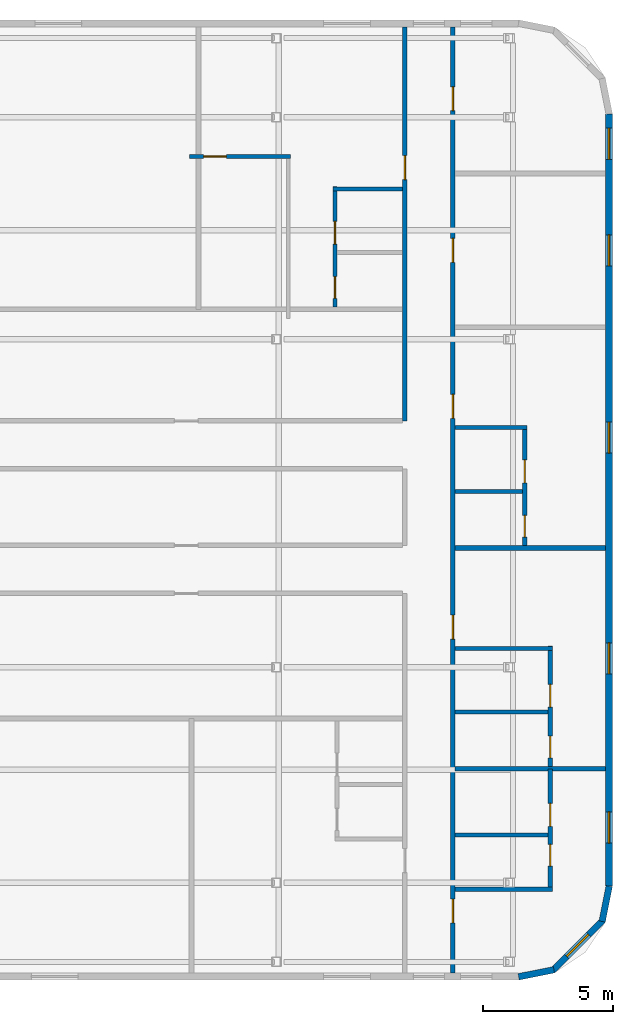
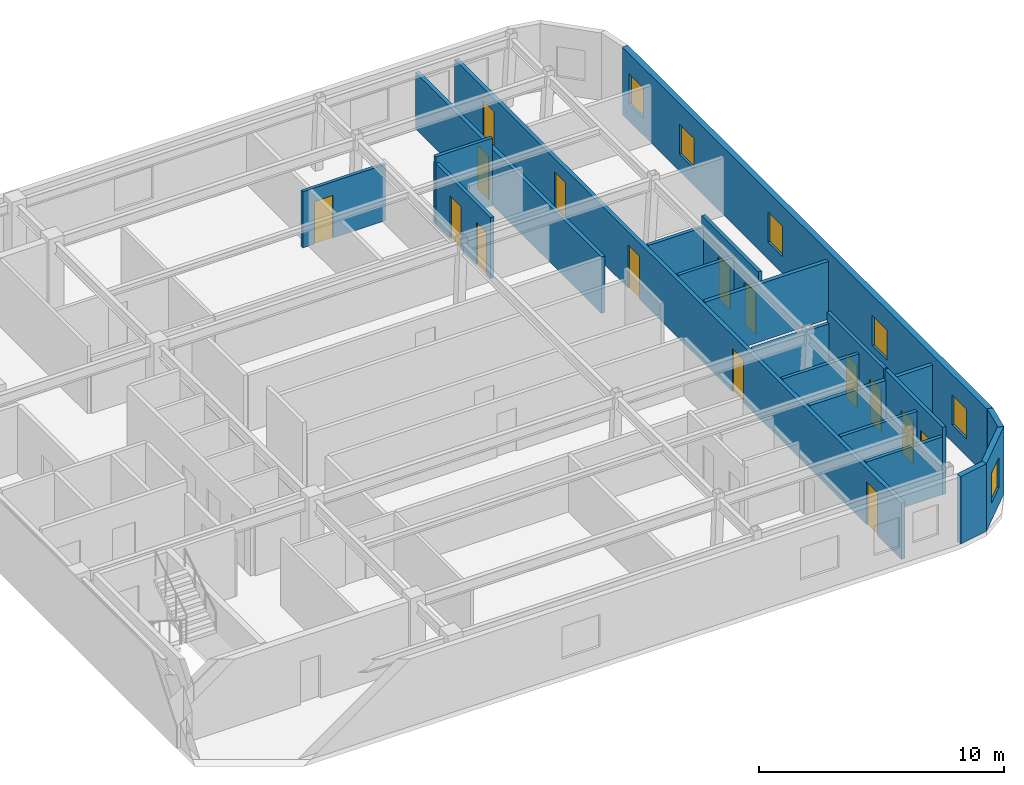
# One storey, part 4 of 6: 20 walls, 15 doors, 6 windows, 21 openings.
"""IFC4 building model written with IfcOpenShell, lengths in metres."""

import ifcopenshell
import ifcopenshell.guid

model = None  # the IFC model being written
_history = None  # IfcOwnerHistory: only IFC2X3 demands one
_inside = {}  # id of a spatial element -> (the spatial element, [elements in it])
_under = {}  # id of a project, library or spatial element -> (it, [spatial elements below it])
_declared = {}  # id of a project -> (the project, [libraries it declares])
_typed = {}  # id of a type object -> (the type object, [elements of that type])
_made_of = {}  # id of a material, layer set ... -> (it, [elements and type objects made of it])


def new_model(schema):
    """Start an empty IFC model of exactly this schema.

    Asked for "IFC4X3", IfcOpenShell would pick the latest addendum, in which some entities
    have other attributes; the version numbers below select the first issue.
    IFC2X3 requires an IfcOwnerHistory on every rooted entity: one is made here for all.
    """
    global model, _history
    if schema == "IFC4X3":
        model = ifcopenshell.file(schema_version=(4, 3, 0, 0))
    else:
        model = ifcopenshell.file(schema=schema)
    _inside.clear()
    _under.clear()
    _declared.clear()
    _typed.clear()
    _made_of.clear()
    _history = None
    if model.schema == "IFC2X3":
        org = make("IfcOrganization", Name="unknown")
        user = make(
            "IfcPersonAndOrganization",
            ThePerson=make("IfcPerson", FamilyName="unknown"),
            TheOrganization=org,
        )
        app = make(
            "IfcApplication",
            ApplicationDeveloper=org,
            Version="unknown",
            ApplicationFullName="unknown",
            ApplicationIdentifier="unknown",
        )
        _history = make(
            "IfcOwnerHistory",
            OwningUser=user,
            OwningApplication=app,
            ChangeAction="ADDED",
            CreationDate=0,
        )
    return model


def make(cls, **values):
    """One entity of the class cls with the attributes given. An attribute that is None is left unset."""
    return model.create_entity(
        cls, **{name: value for name, value in values.items() if value is not None}
    )


def rooted(cls, **values):
    """An entity with a GlobalId (a new one), such as an element, a storey or a relation."""
    return make(cls, GlobalId=ifcopenshell.guid.new(), OwnerHistory=_history, **values)


def si_unit(unit_type, name, prefix=None):
    """IfcSIUnit, for example si_unit("LENGTHUNIT", "METRE", prefix="MILLI")."""
    return make("IfcSIUnit", UnitType=unit_type, Prefix=prefix, Name=name)


def assignment(units):
    """IfcUnitAssignment: the units of a project."""
    return None if units is None else make("IfcUnitAssignment", Units=units)


def point(xyz):
    """IfcCartesianPoint."""
    return None if xyz is None else make("IfcCartesianPoint", Coordinates=xyz)


def direction(xyz):
    """IfcDirection."""
    return None if xyz is None else make("IfcDirection", DirectionRatios=xyz)


def frame(location, z_axis=None, x_axis=None):
    """IfcAxis2Placement3D, a coordinate frame: its origin and axes. An axis left out is left unset."""
    return make(
        "IfcAxis2Placement3D",
        Location=point(location),
        Axis=direction(z_axis),
        RefDirection=direction(x_axis),
    )


def frame_2d(location, x_axis=None):
    """IfcAxis2Placement2D, a coordinate frame in the plane: its origin and x axis."""
    return make(
        "IfcAxis2Placement2D", Location=point(location), RefDirection=direction(x_axis)
    )


def origin():
    """The frame at (0, 0, 0) with its axes left unset."""
    return frame((0.0, 0.0, 0.0))


def place(relative_to, where):
    """IfcLocalPlacement: puts the frame where relative to a parent placement (None: the world)."""
    return make(
        "IfcLocalPlacement", PlacementRelTo=relative_to, RelativePlacement=where
    )


def context(
    kind, dimensions, precision=None, world=None, true_north=None, identifier=None
):
    """IfcGeometricRepresentationContext, for example the 3D "Model" context."""
    return make(
        "IfcGeometricRepresentationContext",
        ContextIdentifier=identifier,
        ContextType=kind,
        CoordinateSpaceDimension=dimensions,
        Precision=precision,
        WorldCoordinateSystem=world,
        TrueNorth=true_north,
    )


def subcontext(parent, identifier, kind, view, scale=None):
    """IfcGeometricRepresentationSubContext, for example "Body" below "Model"."""
    return make(
        "IfcGeometricRepresentationSubContext",
        ContextIdentifier=identifier,
        ContextType=kind,
        ParentContext=parent,
        TargetScale=scale,
        TargetView=view,
    )


def project(units=None, contexts=None):
    """IfcProject with its units and contexts."""
    return rooted(
        "IfcProject",
        Name="project",
        RepresentationContexts=contexts,
        UnitsInContext=assignment(units),
    )


def spatial(cls, under=None, at=None, **own):
    """A site, building, storey or space (cls), placed at a placement, below another one or the project."""
    s = rooted(cls, ObjectPlacement=at, **own)
    if under is not None:
        _under.setdefault(under.id(), (under, []))[1].append(s)
    return s


def profile(cls, at=None, kind="AREA", **sizes):
    """A parametric profile (cls). Its sizes go by their IFC names, for example OverallWidth=200.0."""
    return make(cls, ProfileType=kind, Position=at, **sizes)


def rectangle(**sizes):
    """IfcRectangleProfileDef."""
    return profile("IfcRectangleProfileDef", **sizes)


def extrude(swept, where, along, depth):
    """IfcExtrudedAreaSolid: the profile swept, set in the frame where, extruded along a direction by depth."""
    return make(
        "IfcExtrudedAreaSolid",
        SweptArea=swept,
        Position=where,
        ExtrudedDirection=direction(along),
        Depth=depth,
    )


def shape(context_of_items, identifier, shape_type, items):
    """IfcShapeRepresentation: the items that make up one representation, for example the "Body"."""
    return make(
        "IfcShapeRepresentation",
        ContextOfItems=context_of_items,
        RepresentationIdentifier=identifier,
        RepresentationType=shape_type,
        Items=items,
    )


def material(Name=None, Category=None):
    """IfcMaterial."""
    return make("IfcMaterial", Name=Name, Category=Category)


def layer(
    of_material, thickness, ventilated=None, Name=None, Category=None, Priority=None
):
    """IfcMaterialLayer: one layer of a wall or slab, of a material (None: an air gap)."""
    return make(
        "IfcMaterialLayer",
        Material=of_material,
        LayerThickness=thickness,
        IsVentilated=ventilated,
        Name=Name,
        Category=Category,
        Priority=Priority,
    )


def layer_set(layers, Name=None):
    """IfcMaterialLayerSet."""
    return make("IfcMaterialLayerSet", MaterialLayers=layers, LayerSetName=Name)


def made_of(thing, what):
    """Note that an element or type object is made of a material, layer set ...; save() writes the relation."""
    if what is not None:
        _made_of.setdefault(what.id(), (what, []))[1].append(thing)
    return thing


def type_object(cls, material=None, **own):
    """A type object (cls), such as IfcWallType, which elements share."""
    return made_of(rooted(cls, **own), material)


def element(
    cls,
    number,
    at=None,
    inside=None,
    cuts=None,
    type_object=None,
    material=None,
    context=None,
    identifier="Body",
    shape_type=None,
    held_by="IfcProductDefinitionShape",
    body=None,
    shapes=None,
    **own,
):
    """One element of the class cls, such as IfcWall. Its Tag is "e" and its number.

    at: its placement. inside: the storey or other place that contains it. cuts: it is an
    opening in that element (IfcRelVoidsElement). A single representation is given by context,
    identifier, shape_type and body (its items); several are given by shapes. held_by: the class
    of the entity that holds the representations. save() writes the other relations.
    """
    e = rooted(cls, Tag="e%d" % number, ObjectPlacement=at, **own)
    if body is not None:
        shapes = [shape(context, identifier, shape_type, body)]
    if shapes is not None:
        e.Representation = make(held_by, Representations=shapes)
    if inside is not None:
        _inside.setdefault(inside.id(), (inside, []))[1].append(e)
    if cuts is not None:
        rooted(
            "IfcRelVoidsElement", RelatingBuildingElement=cuts, RelatedOpeningElement=e
        )
    if type_object is not None:
        _typed.setdefault(type_object.id(), (type_object, []))[1].append(e)
    return made_of(e, material)


def fill(opening, filler):
    """IfcRelFillsElement: the door or window that sits in an opening."""
    return rooted(
        "IfcRelFillsElement",
        RelatingOpeningElement=opening,
        RelatedBuildingElement=filler,
    )


def aggregate(whole, parts):
    """IfcRelAggregates: a whole, such as a stair, and the parts it consists of."""
    return rooted("IfcRelAggregates", RelatingObject=whole, RelatedObjects=parts)


def save(model, path):
    """Write the relations noted so far, then the file.

    IfcRelAggregates (storeys below a building ...), IfcRelContainedInSpatialStructure (elements
    in a storey), IfcRelDefinesByType, IfcRelAssociatesMaterial and IfcRelDeclares: one each for
    every whole, place, type object, material and project.
    """
    for whole, parts in _under.values():
        aggregate(whole, parts)
    for where, things in _inside.values():
        rooted(
            "IfcRelContainedInSpatialStructure",
            RelatedElements=things,
            RelatingStructure=where,
        )
    for kind, things in _typed.values():
        rooted("IfcRelDefinesByType", RelatedObjects=things, RelatingType=kind)
    for what, things in _made_of.values():
        rooted("IfcRelAssociatesMaterial", RelatedObjects=things, RelatingMaterial=what)
    for by, libraries in _declared.values():
        rooted("IfcRelDeclares", RelatingContext=by, RelatedDefinitions=libraries)
    model.write(path)


model = new_model("IFC4")

# Units and contexts
model_context = context("Model", 3, precision=1e-05, world=origin(), true_north=direction((0.0, 1.0)))
body_context = subcontext(model_context, "Body", "Model", "MODEL_VIEW")
ifc_project = project(units=[si_unit("LENGTHUNIT", "METRE"), si_unit("AREAUNIT", "SQUARE_METRE"), si_unit("VOLUMEUNIT", "CUBIC_METRE"), si_unit("PLANEANGLEUNIT", "RADIAN"), si_unit("MASSUNIT", "GRAM", prefix="KILO")], contexts=[model_context])

# Site, building, storey
site_placement = place(None, origin())
site = spatial("IfcSite", under=ifc_project, at=site_placement, CompositionType="ELEMENT")
building_placement = place(site_placement, origin())
building = spatial("IfcBuilding", under=site, at=building_placement, Name="Ochreholt Gables", CompositionType="ELEMENT")
storey_placement = place(building_placement, frame((0.0, 0.0, 271.199951171875)))
storey = spatial("IfcBuildingStorey", under=building, at=storey_placement, Name="L71", CompositionType="ELEMENT", Elevation=271.199951171875)

# Wall, openings, windows
ifc_material_1 = material(Name="Precast concrete 40 MPa", Category="concrete")
ifc_layer_1 = layer(ifc_material_1, 0.27001953125, Name="Precast concrete 40 MPa")
ifc_layer_set_1 = layer_set([ifc_layer_1], Name="Precast concrete 40 MPa")
wall_type_1 = type_object("IfcWallType", Name="WALL-EXT-270", PredefinedType="SOLIDWALL", material=ifc_layer_set_1)
wall_1_placement = place(storey_placement, frame((62.264892578125, 9.1201171875, 0.0), z_axis=(0.0, 0.0, 1.0), x_axis=(0.0, 1.0, 0.0)))
wall_1 = element("IfcWall", 1, at=wall_1_placement, inside=storey, type_object=wall_type_1, Name="L71 East Exterior Wall", PredefinedType="SOLIDWALL", context=body_context, shape_type="SweptSolid", body=[
    extrude(rectangle(XDim=29.759765625, YDim=0.27001953125, at=frame_2d((14.8798828125, 0.0))), origin(), (0.0, 0.0, 1.0), 3.360107421875),
])
opening_1_placement = place(wall_1_placement, frame((1.659912109375, 0.0, 0.85009765625)))
opening_1 = element("IfcOpeningElement", 2, at=opening_1_placement, cuts=wall_1, Name="Opening WN-3", PredefinedType="OPENING", context=body_context, shape_type="SweptSolid", body=[
    extrude(rectangle(XDim=1.199951171875, YDim=1.5, at=frame_2d((0.60009765625, 0.75))), frame((0.0, 0.14501953125, 0.0), z_axis=(0.0, -1.0, 0.0), x_axis=(1.0, 0.0, 0.0)), (0.0, 0.0, 1.0), 0.2900390625),
])
opening_2_placement = place(wall_1_placement, frame((8.175048828125, 0.0, 0.85009765625)))
opening_2 = element("IfcOpeningElement", 3, at=opening_2_placement, cuts=wall_1, Name="Opening WN-3", PredefinedType="OPENING", context=body_context, shape_type="SweptSolid", body=[
    extrude(rectangle(XDim=1.199951171875, YDim=1.5, at=frame_2d((0.60009765625, 0.75))), frame((0.0, 0.14501953125, 0.0), z_axis=(0.0, -1.0, 0.0), x_axis=(1.0, 0.0, 0.0)), (0.0, 0.0, 1.0), 0.2900390625),
])
opening_3_placement = place(wall_1_placement, frame((16.68505859375, 0.0, 0.85009765625)))
opening_3 = element("IfcOpeningElement", 4, at=opening_3_placement, cuts=wall_1, Name="Opening WN-3", PredefinedType="OPENING", context=body_context, shape_type="SweptSolid", body=[
    extrude(rectangle(XDim=1.199951171875, YDim=1.5, at=frame_2d((0.60009765625, 0.75))), frame((0.0, 0.14501953125, 0.0), z_axis=(0.0, -1.0, 0.0), x_axis=(1.0, 0.0, 0.0)), (0.0, 0.0, 1.0), 0.2900390625),
])
opening_4_placement = place(wall_1_placement, frame((23.89990234375, 0.0, 0.85009765625)))
opening_4 = element("IfcOpeningElement", 5, at=opening_4_placement, cuts=wall_1, Name="Opening WN-3", PredefinedType="OPENING", context=body_context, shape_type="SweptSolid", body=[
    extrude(rectangle(XDim=1.199951171875, YDim=1.5, at=frame_2d((0.60009765625, 0.75))), frame((0.0, 0.14501953125, 0.0), z_axis=(0.0, -1.0, 0.0), x_axis=(1.0, 0.0, 0.0)), (0.0, 0.0, 1.0), 0.2900390625),
])
opening_5_placement = place(wall_1_placement, frame((28.010009765625, 0.0, 0.85009765625)))
opening_5 = element("IfcOpeningElement", 6, at=opening_5_placement, cuts=wall_1, Name="Opening WN-3", PredefinedType="OPENING", context=body_context, shape_type="SweptSolid", body=[
    extrude(rectangle(XDim=1.199951171875, YDim=1.5, at=frame_2d((0.60009765625, 0.75))), frame((0.0, 0.14501953125, 0.0), z_axis=(0.0, -1.0, 0.0), x_axis=(1.0, 0.0, 0.0)), (0.0, 0.0, 1.0), 0.2900390625),
])
ifc_material_2 = material(Name="Triple-Glazed Thermally Broken Aluminium Window", Category="aluminium")
window_type = type_object("IfcWindowType", Name="WIN-RES-1200", PartitioningType="SINGLE_PANEL", PredefinedType="WINDOW", material=ifc_material_2)
window_1_placement = place(opening_1_placement, origin())
window_1 = element("IfcWindow", 7, at=window_1_placement, inside=storey, type_object=window_type, Name="L71 Window W-EXT-E-L71-1", OverallHeight=1.5, OverallWidth=1.199951171875, PartitioningType="SINGLE_PANEL", PredefinedType="WINDOW", context=body_context, shape_type="SweptSolid", body=[
    extrude(rectangle(XDim=1.199951171875, YDim=1.5, at=frame_2d((0.60009765625, 0.75))), frame((0.0, 0.030029296875, 0.0), z_axis=(0.0, -1.0, 0.0), x_axis=(1.0, 0.0, 0.0)), (0.0, 0.0, 1.0), 0.06005859375),
])
fill(opening_1, window_1)
window_2_placement = place(opening_2_placement, origin())
window_2 = element("IfcWindow", 8, at=window_2_placement, inside=storey, type_object=window_type, Name="L71 Window W-EXT-E-L71-2", OverallHeight=1.5, OverallWidth=1.199951171875, PartitioningType="SINGLE_PANEL", PredefinedType="WINDOW", context=body_context, shape_type="SweptSolid", body=[
    extrude(rectangle(XDim=1.199951171875, YDim=1.5, at=frame_2d((0.60009765625, 0.75))), frame((0.0, 0.030029296875, 0.0), z_axis=(0.0, -1.0, 0.0), x_axis=(1.0, 0.0, 0.0)), (0.0, 0.0, 1.0), 0.06005859375),
])
fill(opening_2, window_2)
window_3_placement = place(opening_3_placement, origin())
window_3 = element("IfcWindow", 9, at=window_3_placement, inside=storey, type_object=window_type, Name="L71 Window W-EXT-E-L71-3", OverallHeight=1.5, OverallWidth=1.199951171875, PartitioningType="SINGLE_PANEL", PredefinedType="WINDOW", context=body_context, shape_type="SweptSolid", body=[
    extrude(rectangle(XDim=1.199951171875, YDim=1.5, at=frame_2d((0.60009765625, 0.75))), frame((0.0, 0.030029296875, 0.0), z_axis=(0.0, -1.0, 0.0), x_axis=(1.0, 0.0, 0.0)), (0.0, 0.0, 1.0), 0.06005859375),
])
fill(opening_3, window_3)
window_4_placement = place(opening_4_placement, origin())
window_4 = element("IfcWindow", 10, at=window_4_placement, inside=storey, type_object=window_type, Name="L71 Window W-EXT-E-L71-4", OverallHeight=1.5, OverallWidth=1.199951171875, PartitioningType="SINGLE_PANEL", PredefinedType="WINDOW", context=body_context, shape_type="SweptSolid", body=[
    extrude(rectangle(XDim=1.199951171875, YDim=1.5, at=frame_2d((0.60009765625, 0.75))), frame((0.0, 0.030029296875, 0.0), z_axis=(0.0, -1.0, 0.0), x_axis=(1.0, 0.0, 0.0)), (0.0, 0.0, 1.0), 0.06005859375),
])
fill(opening_4, window_4)
window_5_placement = place(opening_5_placement, origin())
window_5 = element("IfcWindow", 11, at=window_5_placement, inside=storey, type_object=window_type, Name="L71 Window W-EXT-E-L71-5", OverallHeight=1.5, OverallWidth=1.199951171875, PartitioningType="SINGLE_PANEL", PredefinedType="WINDOW", context=body_context, shape_type="SweptSolid", body=[
    extrude(rectangle(XDim=1.199951171875, YDim=1.5, at=frame_2d((0.60009765625, 0.75))), frame((0.0, 0.030029296875, 0.0), z_axis=(0.0, -1.0, 0.0), x_axis=(1.0, 0.0, 0.0)), (0.0, 0.0, 1.0), 0.06005859375),
])
fill(opening_5, window_5)

# Wall
ifc_layer_2 = layer(ifc_material_1, 0.25, Name="Precast concrete 40 MPa")
ifc_layer_set_2 = layer_set([ifc_layer_2], Name="Precast concrete 40 MPa")
wall_type_2 = type_object("IfcWallType", Name="WALL-EXT-CNR", PredefinedType="SOLIDWALL", material=ifc_layer_set_2)
wall_2_placement = place(storey_placement, frame((58.783447265625, 5.624267578125, 0.0), z_axis=(0.0, 0.0, 1.0), x_axis=(0.980809899341, 0.19496651342, 0.0)))
element("IfcWall", 12, at=wall_2_placement, inside=storey, type_object=wall_type_2, Name="L71 Rounded Corner Wall SE-1", PredefinedType="SOLIDWALL", context=body_context, shape_type="SweptSolid", body=[
    extrude(rectangle(XDim=1.388671875, YDim=0.25, at=frame_2d((0.6943359375, 0.0))), origin(), (0.0, 0.0, 1.0), 3.360107421875),
])

# Wall, opening, window
wall_3_placement = place(storey_placement, frame((60.094970703125, 5.867919921875, 0.0), z_axis=(0.0, 0.0, 1.0), x_axis=(0.707106781187, 0.707106781187, 0.0)))
wall_3 = element("IfcWall", 13, at=wall_3_placement, inside=storey, type_object=wall_type_2, Name="L71 Rounded Corner Wall SE-2", PredefinedType="SOLIDWALL", context=body_context, shape_type="SweptSolid", body=[
    extrude(rectangle(XDim=2.7392578125, YDim=0.25, at=frame_2d((1.36962890625, 0.0))), origin(), (0.0, 0.0, 1.0), 3.360107421875),
])
opening_6_placement = place(wall_3_placement, frame((0.769775390625, 0.0, 0.85009765625)))
opening_6 = element("IfcOpeningElement", 14, at=opening_6_placement, cuts=wall_3, Name="Opening WN-3", PredefinedType="OPENING", context=body_context, shape_type="SweptSolid", body=[
    extrude(rectangle(XDim=1.199951171875, YDim=1.5, at=frame_2d((0.60009765625, 0.75))), frame((0.0, 0.135009765625, 0.0), z_axis=(0.0, -1.0, 0.0), x_axis=(1.0, 0.0, 0.0)), (0.0, 0.0, 1.0), 0.27001953125),
])
window_6_placement = place(opening_6_placement, origin())
window_6 = element("IfcWindow", 15, at=window_6_placement, inside=storey, type_object=window_type, Name="L71 Corner Bedroom Window SE", OverallHeight=1.5, OverallWidth=1.199951171875, PartitioningType="SINGLE_PANEL", PredefinedType="WINDOW", context=body_context, shape_type="SweptSolid", body=[
    extrude(rectangle(XDim=1.199951171875, YDim=1.5, at=frame_2d((0.60009765625, 0.75))), frame((0.0, 0.030029296875, 0.0), z_axis=(0.0, -1.0, 0.0), x_axis=(1.0, 0.0, 0.0)), (0.0, 0.0, 1.0), 0.06005859375),
])
fill(opening_6, window_6)

# Wall
wall_4_placement = place(storey_placement, frame((62.0048828125, 7.75439453125, 0.0), z_axis=(0.0, 0.0, 1.0), x_axis=(0.195135625965, 0.9807762678, 0.0)))
element("IfcWall", 16, at=wall_4_placement, inside=storey, type_object=wall_type_2, Name="L71 Rounded Corner Wall SE-3", PredefinedType="SOLIDWALL", context=body_context, shape_type="SweptSolid", body=[
    extrude(rectangle(XDim=1.388671875, YDim=0.25, at=frame_2d((0.6943359375, 0.0))), origin(), (0.0, 0.0, 1.0), 3.360107421875),
])

# Wall, opening, door
ifc_material_3 = material(Name="Fire-Rated Gypsum Acoustic Partition", Category="gypsum")
ifc_layer_3 = layer(ifc_material_3, 0.179931640625, Name="Fire-Rated Gypsum Acoustic Partition")
ifc_layer_set_3 = layer_set([ifc_layer_3], Name="Fire-Rated Gypsum Acoustic Partition")
wall_type_3 = type_object("IfcWallType", Name="WALL-INT-CR180", PredefinedType="STANDARD", material=ifc_layer_set_3)
wall_5_placement = place(storey_placement, frame((54.39990234375, 27.050048828125, 0.0), z_axis=(0.0, 0.0, 1.0), x_axis=(0.0, 1.0, 0.0)))
wall_5 = element("IfcWall", 17, at=wall_5_placement, inside=storey, type_object=wall_type_3, Name="L71 Interior Wall WI-C3GW4-L71", PredefinedType="STANDARD", context=body_context, shape_type="SweptSolid", body=[
    extrude(rectangle(XDim=15.179931640625, YDim=0.179931640625, at=frame_2d((7.58984375, 0.0))), origin(), (0.0, 0.0, 1.0), 2.802978515625),
])
opening_7_placement = place(wall_5_placement, frame((9.300048828125, 0.0, 0.0)))
opening_7 = element("IfcOpeningElement", 18, at=opening_7_placement, cuts=wall_5, Name="Opening D-UN1", PredefinedType="OPENING", context=body_context, shape_type="SweptSolid", body=[
    extrude(rectangle(XDim=0.919921875, YDim=2.14990234375, at=frame_2d((0.4599609375, 1.074951171875))), frame((0.0, 0.099853515625, 0.0), z_axis=(0.0, -1.0, 0.0), x_axis=(1.0, 0.0, 0.0)), (0.0, 0.0, 1.0), 0.199951171875),
])
ifc_material_4 = material(Name="Engineered Oak Timber", Category="wood")
door_type_1 = type_object("IfcDoorType", Name="DR-INT-UNT920", OperationType="NOTDEFINED", PredefinedType="DOOR", material=ifc_material_4)
door_1_placement = place(opening_7_placement, origin())
door_1 = element("IfcDoor", 19, at=door_1_placement, inside=storey, type_object=door_type_1, Name="L71 Door D-U-L71NM2-ENT", OperationType="SINGLE_SWING_RIGHT", OverallHeight=2.14990234375, OverallWidth=0.919921875, PredefinedType="DOOR", context=body_context, shape_type="SweptSolid", body=[
    extrude(rectangle(XDim=0.919921875, YDim=2.14990234375, at=frame_2d((0.4599609375, 1.074951171875))), frame((0.0, 0.02490234375, 0.0), z_axis=(0.0, -1.0, 0.0), x_axis=(1.0, 0.0, 0.0)), (0.0, 0.0, 1.0), 0.050048828125),
])
fill(opening_7, door_1)

# Wall, openings, doors
wall_6_placement = place(storey_placement, frame((56.25, 5.77001953125, 0.0), z_axis=(0.0, 0.0, 1.0), x_axis=(0.0, 1.0, 0.0)))
wall_6 = element("IfcWall", 20, at=wall_6_placement, inside=storey, type_object=wall_type_3, Name="L71 Interior Wall WI-C3GE-L71", PredefinedType="STANDARD", context=body_context, shape_type="SweptSolid", body=[
    extrude(rectangle(XDim=36.4599609375, YDim=0.179931640625, at=frame_2d((18.22998046875, 0.0))), origin(), (0.0, 0.0, 1.0), 2.802978515625),
])
opening_8_placement = place(wall_6_placement, frame((1.929931640625, 0.0, 0.0)))
opening_8 = element("IfcOpeningElement", 21, at=opening_8_placement, cuts=wall_6, Name="Opening D-UN1", PredefinedType="OPENING", context=body_context, shape_type="SweptSolid", body=[
    extrude(rectangle(XDim=0.919921875, YDim=2.14990234375, at=frame_2d((0.4599609375, 1.074951171875))), frame((0.0, 0.099853515625, 0.0), z_axis=(0.0, -1.0, 0.0), x_axis=(1.0, 0.0, 0.0)), (0.0, 0.0, 1.0), 0.199951171875),
])
opening_9_placement = place(wall_6_placement, frame((12.8701171875, 0.0, 0.0)))
opening_9 = element("IfcOpeningElement", 22, at=opening_9_placement, cuts=wall_6, Name="Opening D-UN1", PredefinedType="OPENING", context=body_context, shape_type="SweptSolid", body=[
    extrude(rectangle(XDim=0.919921875, YDim=2.14990234375, at=frame_2d((0.4599609375, 1.074951171875))), frame((0.0, 0.099853515625, 0.0), z_axis=(0.0, -1.0, 0.0), x_axis=(1.0, 0.0, 0.0)), (0.0, 0.0, 1.0), 0.199951171875),
])
opening_10_placement = place(wall_6_placement, frame((21.3798828125, 0.0, 0.0)))
opening_10 = element("IfcOpeningElement", 23, at=opening_10_placement, cuts=wall_6, Name="Opening D-UN1", PredefinedType="OPENING", context=body_context, shape_type="SweptSolid", body=[
    extrude(rectangle(XDim=0.919921875, YDim=2.14990234375, at=frame_2d((0.4599609375, 1.074951171875))), frame((0.0, 0.099853515625, 0.0), z_axis=(0.0, -1.0, 0.0), x_axis=(1.0, 0.0, 0.0)), (0.0, 0.0, 1.0), 0.199951171875),
])
opening_11_placement = place(wall_6_placement, frame((27.389892578125, 0.0, 0.0)))
opening_11 = element("IfcOpeningElement", 24, at=opening_11_placement, cuts=wall_6, Name="Opening D-UN1", PredefinedType="OPENING", context=body_context, shape_type="SweptSolid", body=[
    extrude(rectangle(XDim=0.919921875, YDim=2.14990234375, at=frame_2d((0.4599609375, 1.074951171875))), frame((0.0, 0.099853515625, 0.0), z_axis=(0.0, -1.0, 0.0), x_axis=(1.0, 0.0, 0.0)), (0.0, 0.0, 1.0), 0.199951171875),
])
opening_12_placement = place(wall_6_placement, frame((33.235107421875, 0.0, 0.0)))
opening_12 = element("IfcOpeningElement", 25, at=opening_12_placement, cuts=wall_6, Name="Opening D-UN1", PredefinedType="OPENING", context=body_context, shape_type="SweptSolid", body=[
    extrude(rectangle(XDim=0.919921875, YDim=2.14990234375, at=frame_2d((0.4599609375, 1.074951171875))), frame((0.0, 0.099853515625, 0.0), z_axis=(0.0, -1.0, 0.0), x_axis=(1.0, 0.0, 0.0)), (0.0, 0.0, 1.0), 0.199951171875),
])
door_2_placement = place(opening_8_placement, origin())
door_2 = element("IfcDoor", 26, at=door_2_placement, inside=storey, type_object=door_type_1, Name="L71 Door D-U-L71E1-ENT", OperationType="SINGLE_SWING_RIGHT", OverallHeight=2.14990234375, OverallWidth=0.919921875, PredefinedType="DOOR", context=body_context, shape_type="SweptSolid", body=[
    extrude(rectangle(XDim=0.919921875, YDim=2.14990234375, at=frame_2d((0.4599609375, 1.074951171875))), frame((0.0, 0.02490234375, 0.0), z_axis=(0.0, -1.0, 0.0), x_axis=(1.0, 0.0, 0.0)), (0.0, 0.0, 1.0), 0.050048828125),
])
fill(opening_8, door_2)
door_3_placement = place(opening_9_placement, origin())
door_3 = element("IfcDoor", 27, at=door_3_placement, inside=storey, type_object=door_type_1, Name="L71 Door D-U-L71E2-ENT", OperationType="SINGLE_SWING_LEFT", OverallHeight=2.14990234375, OverallWidth=0.919921875, PredefinedType="DOOR", context=body_context, shape_type="SweptSolid", body=[
    extrude(rectangle(XDim=0.919921875, YDim=2.14990234375, at=frame_2d((0.4599609375, 1.074951171875))), frame((0.0, 0.02490234375, 0.0), z_axis=(0.0, -1.0, 0.0), x_axis=(1.0, 0.0, 0.0)), (0.0, 0.0, 1.0), 0.050048828125),
])
fill(opening_9, door_3)
door_4_placement = place(opening_10_placement, origin())
door_4 = element("IfcDoor", 28, at=door_4_placement, inside=storey, type_object=door_type_1, Name="L71 Door D-U-L71E3-ENT", OperationType="SINGLE_SWING_RIGHT", OverallHeight=2.14990234375, OverallWidth=0.919921875, PredefinedType="DOOR", context=body_context, shape_type="SweptSolid", body=[
    extrude(rectangle(XDim=0.919921875, YDim=2.14990234375, at=frame_2d((0.4599609375, 1.074951171875))), frame((0.0, 0.02490234375, 0.0), z_axis=(0.0, -1.0, 0.0), x_axis=(1.0, 0.0, 0.0)), (0.0, 0.0, 1.0), 0.050048828125),
])
fill(opening_10, door_4)
door_5_placement = place(opening_11_placement, origin())
door_5 = element("IfcDoor", 29, at=door_5_placement, inside=storey, type_object=door_type_1, Name="L71 Door D-U-L71E4-ENT", OperationType="SINGLE_SWING_LEFT", OverallHeight=2.14990234375, OverallWidth=0.919921875, PredefinedType="DOOR", context=body_context, shape_type="SweptSolid", body=[
    extrude(rectangle(XDim=0.919921875, YDim=2.14990234375, at=frame_2d((0.4599609375, 1.074951171875))), frame((0.0, 0.02490234375, 0.0), z_axis=(0.0, -1.0, 0.0), x_axis=(1.0, 0.0, 0.0)), (0.0, 0.0, 1.0), 0.050048828125),
])
fill(opening_11, door_5)
door_6_placement = place(opening_12_placement, origin())
door_6 = element("IfcDoor", 30, at=door_6_placement, inside=storey, type_object=door_type_1, Name="L71 Door D-U-L71E5-ENT", OperationType="SINGLE_SWING_RIGHT", OverallHeight=2.14990234375, OverallWidth=0.919921875, PredefinedType="DOOR", context=body_context, shape_type="SweptSolid", body=[
    extrude(rectangle(XDim=0.919921875, YDim=2.14990234375, at=frame_2d((0.4599609375, 1.074951171875))), frame((0.0, 0.02490234375, 0.0), z_axis=(0.0, -1.0, 0.0), x_axis=(1.0, 0.0, 0.0)), (0.0, 0.0, 1.0), 0.050048828125),
])
fill(opening_12, door_6)

# Walls
ifc_material_5 = material(Name="Double-Stud Acoustic Demising Wall", Category="gypsum")
ifc_layer_4 = layer(ifc_material_5, 0.18505859375, Name="Double-Stud Acoustic Demising Wall")
ifc_layer_set_4 = layer_set([ifc_layer_4], Name="Double-Stud Acoustic Demising Wall")
wall_type_4 = type_object("IfcWallType", Name="WALL-INT-DM185", PredefinedType="PARTITIONING", material=ifc_layer_set_4)
for number, where, z_axis, x_axis, name in (
    (31, (56.340087890625, 13.639892578125, 0.0), (0.0, 0.0, 1.0), (1.0, 0.0, 0.0), "L71 Interior Wall WI-C3UDE2-L71"),
    (32, (56.340087890625, 22.14990234375, 0.0), (0.0, 0.0, 1.0), (1.0, 0.0, 0.0), "L71 Interior Wall WI-C3UDE3-L71"),
):
    element("IfcWall", number, at=place(storey_placement, frame(where, z_axis=z_axis, x_axis=x_axis)), inside=storey, type_object=wall_type_4, Name=name, PredefinedType="PARTITIONING", context=body_context, shape_type="SweptSolid", body=[
        extrude(rectangle(XDim=5.789794921875, YDim=0.18505859375, at=frame_2d((2.89501953125, 0.0))), origin(), (0.0, 0.0, 1.0), 2.879150390625),
    ])
ifc_material_6 = material(Name="Moisture-Resistant Plumbing Chase Wall", Category="gypsum")
ifc_layer_5 = layer(ifc_material_6, 0.159912109375, Name="Moisture-Resistant Plumbing Chase Wall")
ifc_layer_set_5 = layer_set([ifc_layer_5], Name="Moisture-Resistant Plumbing Chase Wall")
wall_type_5 = type_object("IfcWallType", Name="WALL-INT-PL160", PredefinedType="PLUMBINGWALL", material=ifc_layer_set_5)
wall_7_placement = place(storey_placement, frame((56.340087890625, 9.0, 0.0), z_axis=(0.0, 0.0, 1.0), x_axis=(1.0, 0.0, 0.0)))
element("IfcWall", 33, at=wall_7_placement, inside=storey, type_object=wall_type_5, Name="L71 Interior Wall WU-L71E1-WYS", PredefinedType="PLUMBINGWALL", context=body_context, shape_type="SweptSolid", body=[
    extrude(rectangle(XDim=3.744140625, YDim=0.159912109375, at=frame_2d((1.8720703125, 0.0))), origin(), (0.0, 0.0, 1.0), 2.879150390625),
])

# Wall, openings, doors
wall_8_placement = place(storey_placement, frame((60.004150390625, 8.909912109375, 0.0), z_axis=(0.0, 0.0, 1.0), x_axis=(0.0, 1.0, 0.0)))
wall_8 = element("IfcWall", 34, at=wall_8_placement, inside=storey, type_object=wall_type_5, Name="L71 Interior Wall WU-L71E1-WX", PredefinedType="PLUMBINGWALL", context=body_context, shape_type="SweptSolid", body=[
    extrude(rectangle(XDim=4.72998046875, YDim=0.159912109375, at=frame_2d((2.364990234375, 0.0))), origin(), (0.0, 0.0, 1.0), 3.360107421875),
])
opening_13_placement = place(wall_8_placement, frame((0.97998046875, 0.0, 0.0)))
opening_13 = element("IfcOpeningElement", 35, at=opening_13_placement, cuts=wall_8, Name="Opening D-BT2", PredefinedType="OPENING", context=body_context, shape_type="SweptSolid", body=[
    extrude(rectangle(XDim=0.840087890625, YDim=2.1201171875, at=frame_2d((0.419921875, 1.06005859375))), frame((0.0, 0.08984375, 0.0), z_axis=(0.0, -1.0, 0.0), x_axis=(1.0, 0.0, 0.0)), (0.0, 0.0, 1.0), 0.179931640625),
])
opening_14_placement = place(wall_8_placement, frame((2.512939453125, 0.0, 0.0)))
opening_14 = element("IfcOpeningElement", 36, at=opening_14_placement, cuts=wall_8, Name="Opening D-GN2", PredefinedType="OPENING", context=body_context, shape_type="SweptSolid", body=[
    extrude(rectangle(XDim=0.8798828125, YDim=2.1201171875, at=frame_2d((0.43994140625, 1.06005859375))), frame((0.0, 0.08984375, 0.0), z_axis=(0.0, -1.0, 0.0), x_axis=(1.0, 0.0, 0.0)), (0.0, 0.0, 1.0), 0.179931640625),
])
door_type_2 = type_object("IfcDoorType", Name="DR-INT-BTH840", OperationType="NOTDEFINED", PredefinedType="DOOR", material=ifc_material_4)
door_7_placement = place(opening_13_placement, origin())
door_7 = element("IfcDoor", 37, at=door_7_placement, inside=storey, type_object=door_type_2, Name="L71 Door D-U-L71E1-BTH", OperationType="SINGLE_SWING_LEFT", OverallHeight=2.1201171875, OverallWidth=0.840087890625, PredefinedType="DOOR", context=body_context, shape_type="SweptSolid", body=[
    extrude(rectangle(XDim=0.840087890625, YDim=2.1201171875, at=frame_2d((0.419921875, 1.06005859375))), frame((0.0, 0.02490234375, 0.0), z_axis=(0.0, -1.0, 0.0), x_axis=(1.0, 0.0, 0.0)), (0.0, 0.0, 1.0), 0.050048828125),
])
fill(opening_13, door_7)
door_type_3 = type_object("IfcDoorType", Name="DR-INT-GEN880", OperationType="NOTDEFINED", PredefinedType="DOOR", material=ifc_material_4)
door_8_placement = place(opening_14_placement, origin())
door_8 = element("IfcDoor", 38, at=door_8_placement, inside=storey, type_object=door_type_3, Name="L71 Door D-U-L71E1-KIT", OperationType="SINGLE_SWING_RIGHT", OverallHeight=2.1201171875, OverallWidth=0.8798828125, PredefinedType="DOOR", context=body_context, shape_type="SweptSolid", body=[
    extrude(rectangle(XDim=0.8798828125, YDim=2.1201171875, at=frame_2d((0.43994140625, 1.06005859375))), frame((0.0, 0.02490234375, 0.0), z_axis=(0.0, -1.0, 0.0), x_axis=(1.0, 0.0, 0.0)), (0.0, 0.0, 1.0), 0.050048828125),
])
fill(opening_14, door_8)

# Walls
wall_9_placement = place(storey_placement, frame((56.340087890625, 11.093017578125, 0.0), z_axis=(0.0, 0.0, 1.0), x_axis=(1.0, 0.0, 0.0)))
element("IfcWall", 39, at=wall_9_placement, inside=storey, type_object=wall_type_5, Name="L71 Interior Wall WU-L71E1-WM", PredefinedType="PLUMBINGWALL", context=body_context, shape_type="SweptSolid", body=[
    extrude(rectangle(XDim=3.584228515625, YDim=0.159912109375, at=frame_2d((1.7919921875, 0.0))), origin(), (0.0, 0.0, 1.0), 2.879150390625),
])
wall_10_placement = place(storey_placement, frame((56.340087890625, 18.280029296875, 0.0), z_axis=(0.0, 0.0, 1.0), x_axis=(1.0, 0.0, 0.0)))
element("IfcWall", 40, at=wall_10_placement, inside=storey, type_object=wall_type_5, Name="L71 Interior Wall WU-L71E2-WYN", PredefinedType="PLUMBINGWALL", context=body_context, shape_type="SweptSolid", body=[
    extrude(rectangle(XDim=3.744140625, YDim=0.159912109375, at=frame_2d((1.8720703125, 0.0))), origin(), (0.0, 0.0, 1.0), 2.879150390625),
])

# Wall, openings, doors
wall_11_placement = place(storey_placement, frame((60.004150390625, 13.732421875, 0.0), z_axis=(0.0, 0.0, 1.0), x_axis=(0.0, 1.0, 0.0)))
wall_11 = element("IfcWall", 41, at=wall_11_placement, inside=storey, type_object=wall_type_5, Name="L71 Interior Wall WU-L71E2-WX", PredefinedType="PLUMBINGWALL", context=body_context, shape_type="SweptSolid", body=[
    extrude(rectangle(XDim=4.6376953125, YDim=0.159912109375, at=frame_2d((2.31884765625, 0.0))), origin(), (0.0, 0.0, 1.0), 3.360107421875),
])
opening_15_placement = place(wall_11_placement, frame((0.327392578125, 0.0, 0.0)))
opening_15 = element("IfcOpeningElement", 42, at=opening_15_placement, cuts=wall_11, Name="Opening D-BT2", PredefinedType="OPENING", context=body_context, shape_type="SweptSolid", body=[
    extrude(rectangle(XDim=0.840087890625, YDim=2.1201171875, at=frame_2d((0.419921875, 1.06005859375))), frame((0.0, 0.08984375, 0.0), z_axis=(0.0, -1.0, 0.0), x_axis=(1.0, 0.0, 0.0)), (0.0, 0.0, 1.0), 0.179931640625),
])
opening_16_placement = place(wall_11_placement, frame((2.280517578125, 0.0, 0.0)))
opening_16 = element("IfcOpeningElement", 43, at=opening_16_placement, cuts=wall_11, Name="Opening D-GN2", PredefinedType="OPENING", context=body_context, shape_type="SweptSolid", body=[
    extrude(rectangle(XDim=0.8798828125, YDim=2.1201171875, at=frame_2d((0.43994140625, 1.06005859375))), frame((0.0, 0.08984375, 0.0), z_axis=(0.0, -1.0, 0.0), x_axis=(1.0, 0.0, 0.0)), (0.0, 0.0, 1.0), 0.179931640625),
])
door_9_placement = place(opening_15_placement, origin())
door_9 = element("IfcDoor", 44, at=door_9_placement, inside=storey, type_object=door_type_2, Name="L71 Door D-U-L71E2-BTH", OperationType="SINGLE_SWING_RIGHT", OverallHeight=2.1201171875, OverallWidth=0.840087890625, PredefinedType="DOOR", context=body_context, shape_type="SweptSolid", body=[
    extrude(rectangle(XDim=0.840087890625, YDim=2.1201171875, at=frame_2d((0.419921875, 1.06005859375))), frame((0.0, 0.02490234375, 0.0), z_axis=(0.0, -1.0, 0.0), x_axis=(1.0, 0.0, 0.0)), (0.0, 0.0, 1.0), 0.050048828125),
])
fill(opening_15, door_9)
door_10_placement = place(opening_16_placement, origin())
door_10 = element("IfcDoor", 45, at=door_10_placement, inside=storey, type_object=door_type_3, Name="L71 Door D-U-L71E2-KIT", OperationType="SINGLE_SWING_LEFT", OverallHeight=2.1201171875, OverallWidth=0.8798828125, PredefinedType="DOOR", context=body_context, shape_type="SweptSolid", body=[
    extrude(rectangle(XDim=0.8798828125, YDim=2.1201171875, at=frame_2d((0.43994140625, 1.06005859375))), frame((0.0, 0.02490234375, 0.0), z_axis=(0.0, -1.0, 0.0), x_axis=(1.0, 0.0, 0.0)), (0.0, 0.0, 1.0), 0.050048828125),
])
fill(opening_16, door_10)

# Walls
wall_12_placement = place(storey_placement, frame((56.340087890625, 15.822998046875, 0.0), z_axis=(0.0, 0.0, 1.0), x_axis=(1.0, 0.0, 0.0)))
element("IfcWall", 46, at=wall_12_placement, inside=storey, type_object=wall_type_5, Name="L71 Interior Wall WU-L71E2-WM", PredefinedType="PLUMBINGWALL", context=body_context, shape_type="SweptSolid", body=[
    extrude(rectangle(XDim=3.584228515625, YDim=0.159912109375, at=frame_2d((1.7919921875, 0.0))), origin(), (0.0, 0.0, 1.0), 2.879150390625),
])
wall_13_placement = place(storey_placement, frame((56.340087890625, 26.7900390625, 0.0), z_axis=(0.0, 0.0, 1.0), x_axis=(1.0, 0.0, 0.0)))
element("IfcWall", 47, at=wall_13_placement, inside=storey, type_object=wall_type_5, Name="L71 Interior Wall WU-L71E3-WYN", PredefinedType="PLUMBINGWALL", context=body_context, shape_type="SweptSolid", body=[
    extrude(rectangle(XDim=2.7578125, YDim=0.159912109375, at=frame_2d((1.37890625, 0.0))), origin(), (0.0, 0.0, 1.0), 2.879150390625),
])

# Wall, openings, doors
wall_14_placement = place(storey_placement, frame((59.01806640625, 22.242431640625, 0.0), z_axis=(0.0, 0.0, 1.0), x_axis=(0.0, 1.0, 0.0)))
wall_14 = element("IfcWall", 48, at=wall_14_placement, inside=storey, type_object=wall_type_5, Name="L71 Interior Wall WU-L71E3-WX", PredefinedType="PLUMBINGWALL", context=body_context, shape_type="SweptSolid", body=[
    extrude(rectangle(XDim=4.637451171875, YDim=0.159912109375, at=frame_2d((2.31884765625, 0.0))), origin(), (0.0, 0.0, 1.0), 3.360107421875),
])
opening_17_placement = place(wall_14_placement, frame((0.327392578125, 0.0, 0.0)))
opening_17 = element("IfcOpeningElement", 49, at=opening_17_placement, cuts=wall_14, Name="Opening D-BT2", PredefinedType="OPENING", context=body_context, shape_type="SweptSolid", body=[
    extrude(rectangle(XDim=0.840087890625, YDim=2.1201171875, at=frame_2d((0.419921875, 1.06005859375))), frame((0.0, 0.08984375, 0.0), z_axis=(0.0, -1.0, 0.0), x_axis=(1.0, 0.0, 0.0)), (0.0, 0.0, 1.0), 0.179931640625),
])
opening_18_placement = place(wall_14_placement, frame((2.42041015625, 0.0, 0.0)))
opening_18 = element("IfcOpeningElement", 50, at=opening_18_placement, cuts=wall_14, Name="Opening D-GN2", PredefinedType="OPENING", context=body_context, shape_type="SweptSolid", body=[
    extrude(rectangle(XDim=0.8798828125, YDim=2.1201171875, at=frame_2d((0.43994140625, 1.06005859375))), frame((0.0, 0.08984375, 0.0), z_axis=(0.0, -1.0, 0.0), x_axis=(1.0, 0.0, 0.0)), (0.0, 0.0, 1.0), 0.179931640625),
])
door_11_placement = place(opening_17_placement, origin())
door_11 = element("IfcDoor", 51, at=door_11_placement, inside=storey, type_object=door_type_2, Name="L71 Door D-U-L71E3-BTH", OperationType="SINGLE_SWING_LEFT", OverallHeight=2.1201171875, OverallWidth=0.840087890625, PredefinedType="DOOR", context=body_context, shape_type="SweptSolid", body=[
    extrude(rectangle(XDim=0.840087890625, YDim=2.1201171875, at=frame_2d((0.419921875, 1.06005859375))), frame((0.0, 0.02490234375, 0.0), z_axis=(0.0, -1.0, 0.0), x_axis=(1.0, 0.0, 0.0)), (0.0, 0.0, 1.0), 0.050048828125),
])
fill(opening_17, door_11)
door_12_placement = place(opening_18_placement, origin())
door_12 = element("IfcDoor", 52, at=door_12_placement, inside=storey, type_object=door_type_3, Name="L71 Door D-U-L71E3-KIT", OperationType="SINGLE_SWING_RIGHT", OverallHeight=2.1201171875, OverallWidth=0.8798828125, PredefinedType="DOOR", context=body_context, shape_type="SweptSolid", body=[
    extrude(rectangle(XDim=0.8798828125, YDim=2.1201171875, at=frame_2d((0.43994140625, 1.06005859375))), frame((0.0, 0.02490234375, 0.0), z_axis=(0.0, -1.0, 0.0), x_axis=(1.0, 0.0, 0.0)), (0.0, 0.0, 1.0), 0.050048828125),
])
fill(opening_18, door_12)

# Walls
wall_15_placement = place(storey_placement, frame((56.340087890625, 24.3330078125, 0.0), z_axis=(0.0, 0.0, 1.0), x_axis=(1.0, 0.0, 0.0)))
element("IfcWall", 53, at=wall_15_placement, inside=storey, type_object=wall_type_5, Name="L71 Interior Wall WU-L71E3-WM", PredefinedType="PLUMBINGWALL", context=body_context, shape_type="SweptSolid", body=[
    extrude(rectangle(XDim=2.597900390625, YDim=0.159912109375, at=frame_2d((1.298828125, 0.0))), origin(), (0.0, 0.0, 1.0), 2.879150390625),
])
wall_16_placement = place(storey_placement, frame((51.6279296875, 35.989990234375, 0.0), z_axis=(0.0, 0.0, 1.0), x_axis=(1.0, 0.0, 0.0)))
element("IfcWall", 54, at=wall_16_placement, inside=storey, type_object=wall_type_5, Name="L71 Interior Wall WU-L71NM2-WYN", PredefinedType="PLUMBINGWALL", context=body_context, shape_type="SweptSolid", body=[
    extrude(rectangle(XDim=2.68212890625, YDim=0.159912109375, at=frame_2d((1.341064453125, 0.0))), origin(), (0.0, 0.0, 1.0), 3.360107421875),
])

# Wall, openings, doors
wall_17_placement = place(storey_placement, frame((51.7080078125, 31.4423828125, 0.0), z_axis=(0.0, 0.0, 1.0), x_axis=(0.0, 1.0, 0.0)))
wall_17 = element("IfcWall", 55, at=wall_17_placement, inside=storey, type_object=wall_type_5, Name="L71 Interior Wall WU-L71NM2-WX", PredefinedType="PLUMBINGWALL", context=body_context, shape_type="SweptSolid", body=[
    extrude(rectangle(XDim=4.6376953125, YDim=0.159912109375, at=frame_2d((2.31884765625, 0.0))), origin(), (0.0, 0.0, 1.0), 3.0390625),
])
opening_19_placement = place(wall_17_placement, frame((0.327392578125, 0.0, 0.0)))
opening_19 = element("IfcOpeningElement", 56, at=opening_19_placement, cuts=wall_17, Name="Opening D-BT2", PredefinedType="OPENING", context=body_context, shape_type="SweptSolid", body=[
    extrude(rectangle(XDim=0.840087890625, YDim=2.1201171875, at=frame_2d((0.419921875, 1.06005859375))), frame((0.0, 0.08984375, 0.0), z_axis=(0.0, -1.0, 0.0), x_axis=(1.0, 0.0, 0.0)), (0.0, 0.0, 1.0), 0.179931640625),
])
opening_20_placement = place(wall_17_placement, frame((2.42041015625, 0.0, 0.0)))
opening_20 = element("IfcOpeningElement", 57, at=opening_20_placement, cuts=wall_17, Name="Opening D-GN2", PredefinedType="OPENING", context=body_context, shape_type="SweptSolid", body=[
    extrude(rectangle(XDim=0.8798828125, YDim=2.1201171875, at=frame_2d((0.43994140625, 1.06005859375))), frame((0.0, 0.08984375, 0.0), z_axis=(0.0, -1.0, 0.0), x_axis=(1.0, 0.0, 0.0)), (0.0, 0.0, 1.0), 0.179931640625),
])
door_13_placement = place(opening_19_placement, origin())
door_13 = element("IfcDoor", 58, at=door_13_placement, inside=storey, type_object=door_type_2, Name="L71 Door D-U-L71NM2-BTH", OperationType="SINGLE_SWING_LEFT", OverallHeight=2.1201171875, OverallWidth=0.840087890625, PredefinedType="DOOR", context=body_context, shape_type="SweptSolid", body=[
    extrude(rectangle(XDim=0.840087890625, YDim=2.1201171875, at=frame_2d((0.419921875, 1.06005859375))), frame((0.0, 0.02490234375, 0.0), z_axis=(0.0, -1.0, 0.0), x_axis=(1.0, 0.0, 0.0)), (0.0, 0.0, 1.0), 0.050048828125),
])
fill(opening_19, door_13)
door_14_placement = place(opening_20_placement, origin())
door_14 = element("IfcDoor", 59, at=door_14_placement, inside=storey, type_object=door_type_3, Name="L71 Door D-U-L71NM2-KIT", OperationType="SINGLE_SWING_RIGHT", OverallHeight=2.1201171875, OverallWidth=0.8798828125, PredefinedType="DOOR", context=body_context, shape_type="SweptSolid", body=[
    extrude(rectangle(XDim=0.8798828125, YDim=2.1201171875, at=frame_2d((0.43994140625, 1.06005859375))), frame((0.0, 0.02490234375, 0.0), z_axis=(0.0, -1.0, 0.0), x_axis=(1.0, 0.0, 0.0)), (0.0, 0.0, 1.0), 0.050048828125),
])
fill(opening_20, door_14)

# Wall, opening, door
ifc_material_7 = material(Name="Lightweight Stud Partition", Category="gypsum")
ifc_layer_6 = layer(ifc_material_7, 0.14501953125, Name="Lightweight Stud Partition")
ifc_layer_set_6 = layer_set([ifc_layer_6], Name="Lightweight Stud Partition")
wall_type_6 = type_object("IfcWallType", Name="WALL-INT-PT145", PredefinedType="PARTITIONING", material=ifc_layer_set_6)
wall_18_placement = place(storey_placement, frame((46.090087890625, 37.239990234375, 0.0), z_axis=(0.0, 0.0, 1.0), x_axis=(1.0, 0.0, 0.0)))
wall_18 = element("IfcWall", 60, at=wall_18_placement, inside=storey, type_object=wall_type_6, Name="L71 Interior Wall WU-L71NM2-STN", PredefinedType="PARTITIONING", context=body_context, shape_type="SweptSolid", body=[
    extrude(rectangle(XDim=3.89794921875, YDim=0.14501953125, at=frame_2d((1.948974609375, 0.0))), origin(), (0.0, 0.0, 1.0), 2.802978515625),
])
opening_21_placement = place(wall_18_placement, frame((0.550048828125, 0.0, 0.0)))
opening_21 = element("IfcOpeningElement", 61, at=opening_21_placement, cuts=wall_18, Name="Opening D-GN2", PredefinedType="OPENING", context=body_context, shape_type="SweptSolid", body=[
    extrude(rectangle(XDim=0.8798828125, YDim=2.1201171875, at=frame_2d((0.43994140625, 1.06005859375))), frame((0.0, 0.08251953125, 0.0), z_axis=(0.0, -1.0, 0.0), x_axis=(1.0, 0.0, 0.0)), (0.0, 0.0, 1.0), 0.1650390625),
])
door_15_placement = place(opening_21_placement, origin())
door_15 = element("IfcDoor", 62, at=door_15_placement, inside=storey, type_object=door_type_3, Name="L71 Door D-U-L71NM2-STD", OperationType="SINGLE_SWING_LEFT", OverallHeight=2.1201171875, OverallWidth=0.8798828125, PredefinedType="DOOR", context=body_context, shape_type="SweptSolid", body=[
    extrude(rectangle(XDim=0.8798828125, YDim=2.1201171875, at=frame_2d((0.43994140625, 1.06005859375))), frame((0.0, 0.02490234375, 0.0), z_axis=(0.0, -1.0, 0.0), x_axis=(1.0, 0.0, 0.0)), (0.0, 0.0, 1.0), 0.050048828125),
])
fill(opening_21, door_15)

save(model, "model.ifc")
